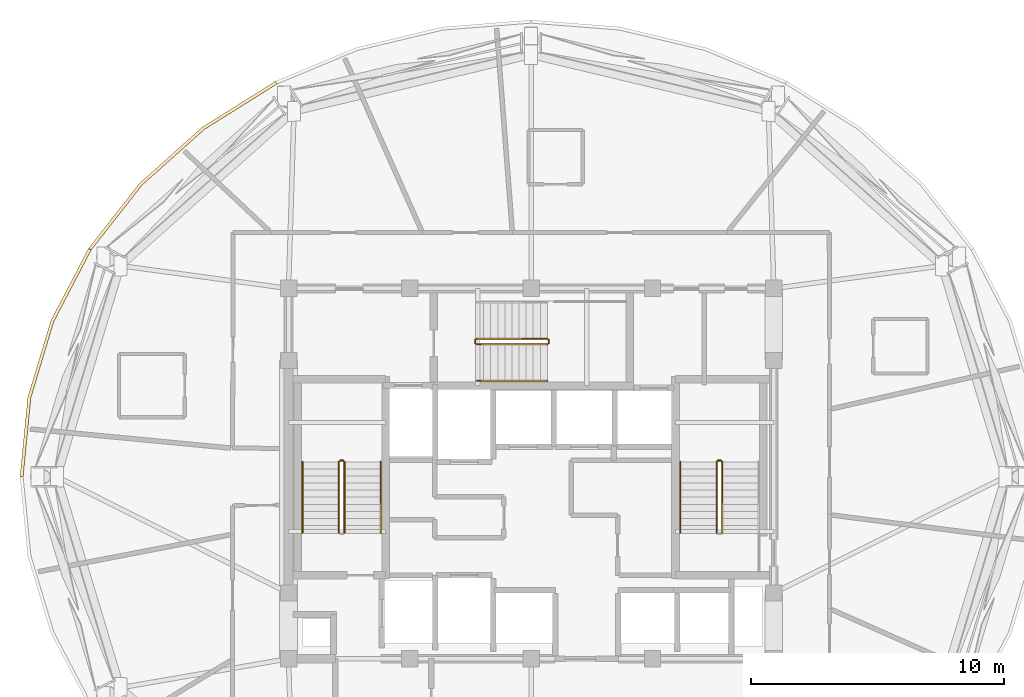
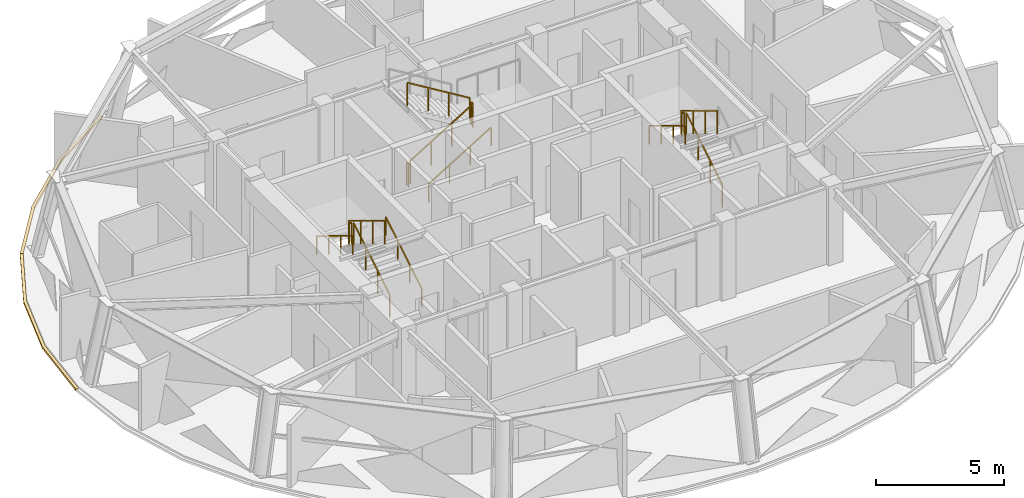
# One storey, part 10 of 11: 14 railings, 2 coverings.
"""IFC4 building model written with IfcOpenShell, lengths in metres."""

from ifc_helpers import new_model, si_unit, direction, frame, origin, origin_2d, place, context, subcontext, project, spatial, polyline, rectangle, outline, extrude, material, layer, layer_set, type_object, element, save


model = new_model("IFC4")

# Units and contexts
model_context = context("Model", 3, precision=1e-05, world=origin(), true_north=direction((0.0, 1.0)))
body_context = subcontext(model_context, "Body", "Model", "MODEL_VIEW")
ifc_project = project(units=[si_unit("LENGTHUNIT", "METRE"), si_unit("AREAUNIT", "SQUARE_METRE"), si_unit("VOLUMEUNIT", "CUBIC_METRE"), si_unit("PLANEANGLEUNIT", "RADIAN"), si_unit("MASSUNIT", "GRAM", prefix="KILO")], contexts=[model_context])

# Site, building, storey
site_placement = place(None, origin())
site = spatial("IfcSite", under=ifc_project, at=site_placement, CompositionType="ELEMENT")
building_placement = place(site_placement, origin())
building = spatial("IfcBuilding", under=site, at=building_placement, Name="Vantalir Tower", CompositionType="ELEMENT")
storey_placement = place(building_placement, frame((0.0, 0.0, 278.85009765625)))
storey = spatial("IfcBuildingStorey", under=building, at=storey_placement, Name="L70", CompositionType="ELEMENT", Elevation=278.85009765625)

# Coverings
ifc_material_1 = material(Name="Anodised champagne aluminium sill fascia", Category="aluminium")
ifc_layer = layer(ifc_material_1, 0.125)
ifc_layer_set = layer_set([ifc_layer], Name="Anodised champagne aluminium sill fascia")
covering_type = type_object("IfcCoveringType", Name="COV-SLAB-FASCIA-125", PredefinedType="CLADDING", material=ifc_layer_set)
covering_1_placement = place(storey_placement, frame((0.0, 0.0, -0.18017578125)))
element("IfcCovering", 1, at=covering_1_placement, inside=storey, type_object=covering_type, Name="L70 Perimeter Slab-Edge Sill Fascia 05", PredefinedType="CLADDING", context=body_context, shape_type="SweptSolid", body=[
    extrude(outline(polyline([(21.387939453125, 40.64990234375), (18.5, 38.843017578125), (16.007080078125, 36.615966796875), (13.985107421875, 34.034912109375), (14.093017578125, 33.972900390625), (16.10302734375, 36.534912109375), (18.580078125, 38.7470703125), (21.449951171875, 40.5419921875), (21.387939453125, 40.64990234375)])), origin(), (0.0, 0.0, 1.0), 0.10498046875),
])
covering_2_placement = place(storey_placement, frame((0.0, 0.0, -0.18017578125)))
element("IfcCovering", 2, at=covering_2_placement, inside=storey, type_object=covering_type, Name="L70 Perimeter Slab-Edge Sill Fascia 06", PredefinedType="CLADDING", context=body_context, shape_type="SweptSolid", body=[
    extrude(outline(polyline([(13.985107421875, 34.034912109375), (12.4951171875, 31.180908203125), (11.58203125, 28.137939453125), (11.27490234375, 25.0), (11.39990234375, 25.0), (11.705078125, 28.115966796875), (12.612060546875, 31.137939453125), (14.093017578125, 33.972900390625), (13.985107421875, 34.034912109375)])), origin(), (0.0, 0.0, 1.0), 0.10498046875),
])

# Railings
ifc_material_2 = material(Name="Anodised aluminium and stainless steel guard", Category="steel")
railing_type_1 = type_object("IfcRailingType", Name="RAL-GUARD-1120", PredefinedType="GUARDRAIL", material=ifc_material_2)
railing_1_placement = place(storey_placement, frame((24.110107421875, 22.7900390625, 0.17041015625)))
element("IfcRailing", 3, at=railing_1_placement, inside=storey, type_object=railing_type_1, Name="L70 ST1 stair guard 1", PredefinedType="GUARDRAIL", context=body_context, shape_type="SweptSolid", body=[
    extrude(rectangle(XDim=0.048095703125, YDim=0.048095703125, at=origin_2d()), frame((0.0, 0.0, 1.09619140625), z_axis=(0.0, 0.854169791009, 0.51999420009), x_axis=(-1.0, 0.0, 0.0)), (0.0, 0.0, 1.0), 3.278076171875),
    extrude(rectangle(XDim=0.0419921875, YDim=0.0419921875, at=origin_2d()), origin(), (0.0, 0.0, 1.0), 1.072021484375),
    extrude(rectangle(XDim=0.0419921875, YDim=0.0419921875, at=origin_2d()), frame((0.0, 0.933349609375, 0.568115234375)), (0.0, 0.0, 1.0), 1.072021484375),
    extrude(rectangle(XDim=0.0419921875, YDim=0.0419921875, at=origin_2d()), frame((0.0, 1.86669921875, 1.136474609375)), (0.0, 0.0, 1.0), 1.072021484375),
    extrude(rectangle(XDim=0.0419921875, YDim=0.0419921875, at=origin_2d()), frame((0.0, 2.800048828125, 1.70458984375)), (0.0, 0.0, 1.0), 1.072021484375),
])
railing_2_placement = place(storey_placement, frame((24.06005859375, 25.639892578125, 1.875)))
element("IfcRailing", 4, at=railing_2_placement, inside=storey, type_object=railing_type_1, Name="L70 ST1 stair guard 2", PredefinedType="GUARDRAIL", context=body_context, shape_type="SweptSolid", body=[
    extrude(rectangle(XDim=0.048095703125, YDim=0.048095703125, at=origin_2d()), frame((0.0, 0.0, 1.09619140625), z_axis=(-1.0, 0.0, 0.0), x_axis=(0.0, -1.0, 0.0)), (0.0, 0.0, 1.0), 0.1201171875),
    extrude(rectangle(XDim=0.0419921875, YDim=0.0419921875, at=origin_2d()), origin(), (0.0, 0.0, 1.0), 1.072021484375),
    extrude(rectangle(XDim=0.0419921875, YDim=0.0419921875, at=origin_2d()), frame((-0.1201171875, 0.0, 0.0)), (0.0, 0.0, 1.0), 1.072021484375),
])
railing_3_placement = place(storey_placement, frame((23.889892578125, 25.590087890625, 2.04541015625)))
element("IfcRailing", 5, at=railing_3_placement, inside=storey, type_object=railing_type_1, Name="L70 ST1 stair guard 3", PredefinedType="GUARDRAIL", context=body_context, shape_type="SweptSolid", body=[
    extrude(rectangle(XDim=0.048095703125, YDim=0.048095703125, at=origin_2d()), frame((0.0, 0.0, 1.09619140625), z_axis=(0.0, -0.854169791009, 0.51999420009), x_axis=(1.0, 0.0, 0.0)), (0.0, 0.0, 1.0), 3.278076171875),
    extrude(rectangle(XDim=0.0419921875, YDim=0.0419921875, at=origin_2d()), origin(), (0.0, 0.0, 1.0), 1.072021484375),
    extrude(rectangle(XDim=0.0419921875, YDim=0.0419921875, at=origin_2d()), frame((0.0, -0.933349609375, 0.568115234375)), (0.0, 0.0, 1.0), 1.072021484375),
    extrude(rectangle(XDim=0.0419921875, YDim=0.0419921875, at=origin_2d()), frame((0.0, -1.86669921875, 1.136474609375)), (0.0, 0.0, 1.0), 1.072021484375),
    extrude(rectangle(XDim=0.0419921875, YDim=0.0419921875, at=origin_2d()), frame((0.0, -2.800048828125, 1.70458984375)), (0.0, 0.0, 1.0), 1.072021484375),
])
railing_4_placement = place(storey_placement, frame((39.06005859375, 22.7900390625, 0.17041015625)))
element("IfcRailing", 6, at=railing_4_placement, inside=storey, type_object=railing_type_1, Name="L70 ST2 stair guard 1", PredefinedType="GUARDRAIL", context=body_context, shape_type="SweptSolid", body=[
    extrude(rectangle(XDim=0.048095703125, YDim=0.048095703125, at=origin_2d()), frame((0.0, 0.0, 1.09619140625), z_axis=(0.0, 0.854169791009, 0.51999420009), x_axis=(-1.0, 0.0, 0.0)), (0.0, 0.0, 1.0), 3.278076171875),
    extrude(rectangle(XDim=0.0419921875, YDim=0.0419921875, at=origin_2d()), origin(), (0.0, 0.0, 1.0), 1.072021484375),
    extrude(rectangle(XDim=0.0419921875, YDim=0.0419921875, at=origin_2d()), frame((0.0, 0.933349609375, 0.568115234375)), (0.0, 0.0, 1.0), 1.072021484375),
    extrude(rectangle(XDim=0.0419921875, YDim=0.0419921875, at=origin_2d()), frame((0.0, 1.86669921875, 1.136474609375)), (0.0, 0.0, 1.0), 1.072021484375),
    extrude(rectangle(XDim=0.0419921875, YDim=0.0419921875, at=origin_2d()), frame((0.0, 2.800048828125, 1.70458984375)), (0.0, 0.0, 1.0), 1.072021484375),
])
railing_5_placement = place(storey_placement, frame((39.010009765625, 25.639892578125, 1.875)))
element("IfcRailing", 7, at=railing_5_placement, inside=storey, type_object=railing_type_1, Name="L70 ST2 stair guard 2", PredefinedType="GUARDRAIL", context=body_context, shape_type="SweptSolid", body=[
    extrude(rectangle(XDim=0.048095703125, YDim=0.048095703125, at=origin_2d()), frame((0.0, 0.0, 1.09619140625), z_axis=(-1.0, 0.0, 0.0), x_axis=(0.0, -1.0, 0.0)), (0.0, 0.0, 1.0), 0.1201171875),
    extrude(rectangle(XDim=0.0419921875, YDim=0.0419921875, at=origin_2d()), origin(), (0.0, 0.0, 1.0), 1.072021484375),
    extrude(rectangle(XDim=0.0419921875, YDim=0.0419921875, at=origin_2d()), frame((-0.1201171875, 0.0, 0.0)), (0.0, 0.0, 1.0), 1.072021484375),
])
railing_6_placement = place(storey_placement, frame((38.840087890625, 25.590087890625, 2.04541015625)))
element("IfcRailing", 8, at=railing_6_placement, inside=storey, type_object=railing_type_1, Name="L70 ST2 stair guard 3", PredefinedType="GUARDRAIL", context=body_context, shape_type="SweptSolid", body=[
    extrude(rectangle(XDim=0.048095703125, YDim=0.048095703125, at=origin_2d()), frame((0.0, 0.0, 1.09619140625), z_axis=(0.0, -0.854169791009, 0.51999420009), x_axis=(1.0, 0.0, 0.0)), (0.0, 0.0, 1.0), 3.278076171875),
    extrude(rectangle(XDim=0.0419921875, YDim=0.0419921875, at=origin_2d()), origin(), (0.0, 0.0, 1.0), 1.072021484375),
    extrude(rectangle(XDim=0.0419921875, YDim=0.0419921875, at=origin_2d()), frame((0.0, -0.933349609375, 0.568115234375)), (0.0, 0.0, 1.0), 1.072021484375),
    extrude(rectangle(XDim=0.0419921875, YDim=0.0419921875, at=origin_2d()), frame((0.0, -1.86669921875, 1.136474609375)), (0.0, 0.0, 1.0), 1.072021484375),
    extrude(rectangle(XDim=0.0419921875, YDim=0.0419921875, at=origin_2d()), frame((0.0, -2.800048828125, 1.70458984375)), (0.0, 0.0, 1.0), 1.072021484375),
])
railing_7_placement = place(storey_placement, frame((29.340087890625, 30.239990234375, 0.17041015625)))
element("IfcRailing", 9, at=railing_7_placement, inside=storey, type_object=railing_type_1, Name="L70 ST3 stair guard 1", PredefinedType="GUARDRAIL", context=body_context, shape_type="SweptSolid", body=[
    extrude(rectangle(XDim=0.048095703125, YDim=0.048095703125, at=origin_2d()), frame((0.0, 0.0, 1.09619140625), z_axis=(0.854149651119, 0.0, 0.520027281489), x_axis=(0.0, 1.0, 0.0)), (0.0, 0.0, 1.0), 3.27783203125),
    extrude(rectangle(XDim=0.0419921875, YDim=0.0419921875, at=origin_2d()), origin(), (0.0, 0.0, 1.0), 1.072021484375),
    extrude(rectangle(XDim=0.0419921875, YDim=0.0419921875, at=origin_2d()), frame((0.933349609375, 0.0, 0.568115234375)), (0.0, 0.0, 1.0), 1.072021484375),
    extrude(rectangle(XDim=0.0419921875, YDim=0.0419921875, at=origin_2d()), frame((1.866455078125, 0.0, 1.136474609375)), (0.0, 0.0, 1.0), 1.072021484375),
    extrude(rectangle(XDim=0.0419921875, YDim=0.0419921875, at=origin_2d()), frame((2.7998046875, 0.0, 1.70458984375)), (0.0, 0.0, 1.0), 1.072021484375),
])
railing_8_placement = place(storey_placement, frame((32.18994140625, 30.2900390625, 1.875)))
element("IfcRailing", 10, at=railing_8_placement, inside=storey, type_object=railing_type_1, Name="L70 ST3 stair guard 2", PredefinedType="GUARDRAIL", context=body_context, shape_type="SweptSolid", body=[
    extrude(rectangle(XDim=0.048095703125, YDim=0.048095703125, at=origin_2d()), frame((0.0, 0.0, 1.09619140625), z_axis=(0.0, 1.0, 0.0), x_axis=(-1.0, 0.0, 0.0)), (0.0, 0.0, 1.0), 0.119873046875),
    extrude(rectangle(XDim=0.0419921875, YDim=0.0419921875, at=origin_2d()), origin(), (0.0, 0.0, 1.0), 1.072021484375),
    extrude(rectangle(XDim=0.0419921875, YDim=0.0419921875, at=origin_2d()), frame((0.0, 0.119873046875, 0.0)), (0.0, 0.0, 1.0), 1.072021484375),
])
railing_9_placement = place(storey_placement, frame((32.139892578125, 30.4599609375, 2.04541015625)))
element("IfcRailing", 11, at=railing_9_placement, inside=storey, type_object=railing_type_1, Name="L70 ST3 stair guard 3", PredefinedType="GUARDRAIL", context=body_context, shape_type="SweptSolid", body=[
    extrude(rectangle(XDim=0.048095703125, YDim=0.048095703125, at=origin_2d()), frame((0.0, 0.0, 1.09619140625), z_axis=(-0.854149651119, 0.0, 0.520027281489), x_axis=(0.0, -1.0, 0.0)), (0.0, 0.0, 1.0), 3.27783203125),
    extrude(rectangle(XDim=0.0419921875, YDim=0.0419921875, at=origin_2d()), origin(), (0.0, 0.0, 1.0), 1.072021484375),
    extrude(rectangle(XDim=0.0419921875, YDim=0.0419921875, at=origin_2d()), frame((-0.933349609375, 0.0, 0.568115234375)), (0.0, 0.0, 1.0), 1.072021484375),
    extrude(rectangle(XDim=0.0419921875, YDim=0.0419921875, at=origin_2d()), frame((-1.866455078125, 0.0, 1.136474609375)), (0.0, 0.0, 1.0), 1.072021484375),
    extrude(rectangle(XDim=0.0419921875, YDim=0.0419921875, at=origin_2d()), frame((-2.7998046875, 0.0, 1.70458984375)), (0.0, 0.0, 1.0), 1.072021484375),
])
railing_10_placement = place(storey_placement, frame((29.2900390625, 30.2900390625, 0.0)))
element("IfcRailing", 12, at=railing_10_placement, inside=storey, type_object=railing_type_1, Name="L70 ST3 stair guard 4", PredefinedType="GUARDRAIL", context=body_context, shape_type="SweptSolid", body=[
    extrude(rectangle(XDim=0.048095703125, YDim=0.048095703125, at=origin_2d()), frame((0.0, 0.0, 1.09619140625), z_axis=(0.0, 1.0, 0.0), x_axis=(-1.0, 0.0, 0.0)), (0.0, 0.0, 1.0), 0.119873046875),
    extrude(rectangle(XDim=0.0419921875, YDim=0.0419921875, at=origin_2d()), origin(), (0.0, 0.0, 1.0), 1.072021484375),
    extrude(rectangle(XDim=0.0419921875, YDim=0.0419921875, at=origin_2d()), frame((0.0, 0.119873046875, 0.0)), (0.0, 0.0, 1.0), 1.072021484375),
])
ifc_material_3 = material(Name="Brushed stainless steel tubular handrail", Category="steel")
railing_type_2 = type_object("IfcRailingType", Name="RAL-HANDRAIL-900", PredefinedType="HANDRAIL", material=ifc_material_3)
railing_11_placement = place(storey_placement, frame((25.550048828125, 22.7900390625, 0.17041015625)))
element("IfcRailing", 13, at=railing_11_placement, inside=storey, type_object=railing_type_2, Name="L70 ST1 stair handrail 1", PredefinedType="HANDRAIL", context=body_context, shape_type="SweptSolid", body=[
    extrude(rectangle(XDim=0.048095703125, YDim=0.048095703125, at=origin_2d()), frame((0.0, 0.0, 0.8759765625), z_axis=(0.0, 0.854169791009, 0.51999420009), x_axis=(-1.0, 0.0, 0.0)), (0.0, 0.0, 1.0), 3.278076171875),
    extrude(rectangle(XDim=0.0419921875, YDim=0.0419921875, at=origin_2d()), origin(), (0.0, 0.0, 1.0), 0.851806640625),
    extrude(rectangle(XDim=0.0419921875, YDim=0.0419921875, at=origin_2d()), frame((0.0, 0.933349609375, 0.568115234375)), (0.0, 0.0, 1.0), 0.851806640625),
    extrude(rectangle(XDim=0.0419921875, YDim=0.0419921875, at=origin_2d()), frame((0.0, 1.86669921875, 1.136474609375)), (0.0, 0.0, 1.0), 0.851806640625),
    extrude(rectangle(XDim=0.0419921875, YDim=0.0419921875, at=origin_2d()), frame((0.0, 2.800048828125, 1.70458984375)), (0.0, 0.0, 1.0), 0.851806640625),
])
for number, where, name in (
    (14, (22.449951171875, 25.590087890625, 2.04541015625), "L70 ST1 stair handrail 2"),
    (15, (37.39990234375, 25.590087890625, 2.04541015625), "L70 ST2 stair handrail 2"),
):
    element("IfcRailing", number, at=place(storey_placement, frame(where)), inside=storey, type_object=railing_type_2, Name=name, PredefinedType="HANDRAIL", context=body_context, shape_type="SweptSolid", body=[
        extrude(rectangle(XDim=0.048095703125, YDim=0.048095703125, at=origin_2d()), frame((0.0, 0.0, 0.8759765625), z_axis=(0.0, -0.854169791009, 0.51999420009), x_axis=(1.0, 0.0, 0.0)), (0.0, 0.0, 1.0), 3.278076171875),
        extrude(rectangle(XDim=0.0419921875, YDim=0.0419921875, at=origin_2d()), origin(), (0.0, 0.0, 1.0), 0.851806640625),
        extrude(rectangle(XDim=0.0419921875, YDim=0.0419921875, at=origin_2d()), frame((0.0, -0.933349609375, 0.568115234375)), (0.0, 0.0, 1.0), 0.851806640625),
        extrude(rectangle(XDim=0.0419921875, YDim=0.0419921875, at=origin_2d()), frame((0.0, -1.86669921875, 1.136474609375)), (0.0, 0.0, 1.0), 0.851806640625),
        extrude(rectangle(XDim=0.0419921875, YDim=0.0419921875, at=origin_2d()), frame((0.0, -2.800048828125, 1.70458984375)), (0.0, 0.0, 1.0), 0.851806640625),
    ])
railing_12_placement = place(storey_placement, frame((29.340087890625, 28.800048828125, 0.17041015625)))
element("IfcRailing", 16, at=railing_12_placement, inside=storey, type_object=railing_type_2, Name="L70 ST3 stair handrail 1", PredefinedType="HANDRAIL", context=body_context, shape_type="SweptSolid", body=[
    extrude(rectangle(XDim=0.048095703125, YDim=0.048095703125, at=origin_2d()), frame((0.0, 0.0, 0.8759765625), z_axis=(0.854149651119, 0.0, 0.520027281489), x_axis=(0.0, 1.0, 0.0)), (0.0, 0.0, 1.0), 3.27783203125),
    extrude(rectangle(XDim=0.0419921875, YDim=0.0419921875, at=origin_2d()), origin(), (0.0, 0.0, 1.0), 0.851806640625),
    extrude(rectangle(XDim=0.0419921875, YDim=0.0419921875, at=origin_2d()), frame((0.933349609375, 0.0, 0.568115234375)), (0.0, 0.0, 1.0), 0.851806640625),
    extrude(rectangle(XDim=0.0419921875, YDim=0.0419921875, at=origin_2d()), frame((1.866455078125, 0.0, 1.136474609375)), (0.0, 0.0, 1.0), 0.851806640625),
    extrude(rectangle(XDim=0.0419921875, YDim=0.0419921875, at=origin_2d()), frame((2.7998046875, 0.0, 1.70458984375)), (0.0, 0.0, 1.0), 0.851806640625),
])

save(model, "model.ifc")
